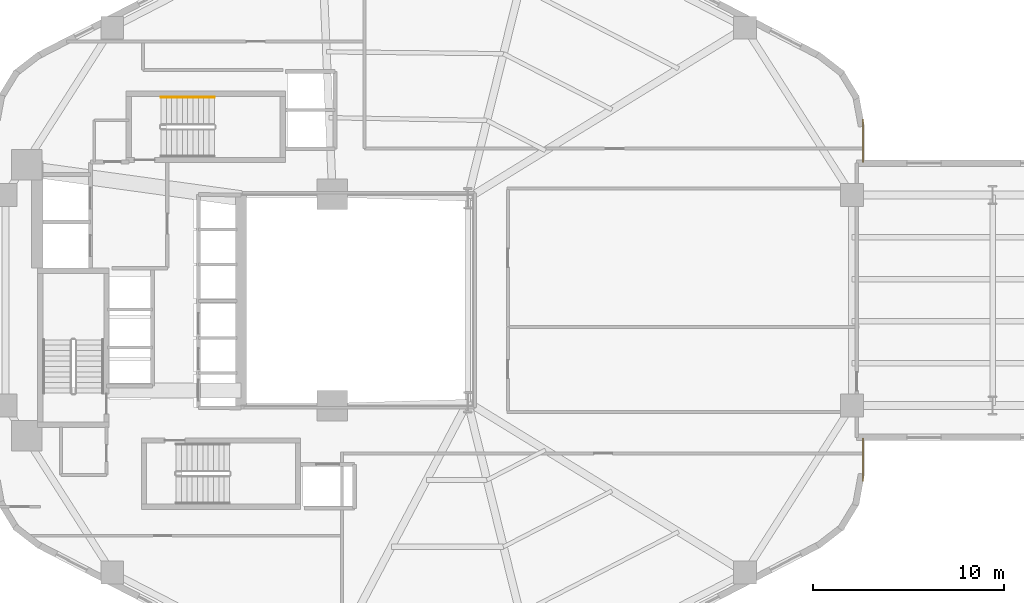
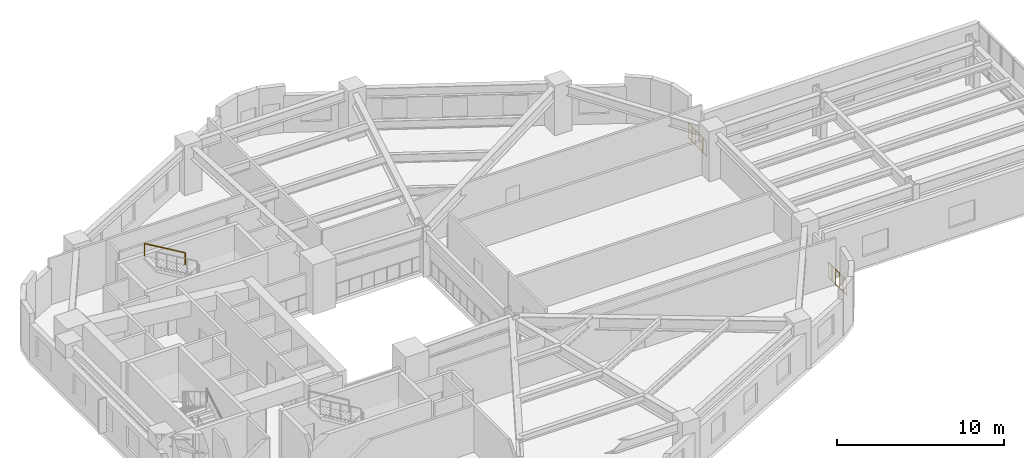
# One storey, part 10 of 10: 3 railings.
"""IFC4 building model written with IfcOpenShell, lengths in metres."""

from ifc_helpers import new_model, si_unit, direction, frame, origin, origin_2d, place, context, subcontext, project, spatial, circle, extrude, material, type_object, element, save


model = new_model("IFC4")

# Units and contexts
model_context = context("Model", 3, precision=1e-05, world=origin(), true_north=direction((0.0, 1.0)))
body_context = subcontext(model_context, "Body", "Model", "MODEL_VIEW")
ifc_project = project(units=[si_unit("LENGTHUNIT", "METRE"), si_unit("AREAUNIT", "SQUARE_METRE"), si_unit("VOLUMEUNIT", "CUBIC_METRE"), si_unit("PLANEANGLEUNIT", "RADIAN"), si_unit("MASSUNIT", "GRAM", prefix="KILO"), si_unit("THERMODYNAMICTEMPERATUREUNIT", "KELVIN"), si_unit("POWERUNIT", "WATT")], contexts=[model_context])

# Site, building, storey
site_placement = place(None, origin())
site = spatial("IfcSite", under=ifc_project, at=site_placement, CompositionType="ELEMENT")
building_placement = place(site_placement, origin())
building = spatial("IfcBuilding", under=site, at=building_placement, Name="Skarre Station Tower", CompositionType="ELEMENT")
storey_placement = place(building_placement, frame((0.0, 0.0, 59.85009765625)))
storey = spatial("IfcBuildingStorey", under=building, at=storey_placement, Name="L15", CompositionType="ELEMENT", Elevation=59.85009765625)

# Railings
ifc_material_1 = material(Name="Stainless Steel Grade 316L & Laminated Safety Glass", Category="steel")
railing_type_1 = type_object("IfcRailingType", Name="Laminated Glass & Stainless Terrace Guardrail 1150", PredefinedType="BALUSTRADE", material=ifc_material_1)
for number, where, name in (
    (1, (60.193115234375, 33.47607421875, 0.0), "L15 SB-1 Shoulder Ledge Guardrail 1"),
    (2, (60.193115234375, 16.72998046875, 0.0), "L15 SB-1 Shoulder Ledge Guardrail 2"),
):
    element("IfcRailing", number, at=place(storey_placement, frame(where)), inside=storey, type_object=railing_type_1, Name=name, PredefinedType="BALUSTRADE", context=body_context, shape_type="SweptSolid", body=[
        extrude(circle(Radius=0.02392578125, at=origin_2d()), frame((0.0, 0.0, 1.1259765625), z_axis=(0.0, -1.0, 0.0), x_axis=(1.0, 0.0, 0.0)), (0.0, 0.0, 1.0), 2.2060546875),
        extrude(circle(Radius=0.02099609375, at=origin_2d()), frame((0.0, 0.0, 0.06005859375), z_axis=(0.0, -1.0, 0.0), x_axis=(1.0, 0.0, 0.0)), (0.0, 0.0, 1.0), 2.2060546875),
        extrude(circle(Radius=0.02099609375, at=origin_2d()), origin(), (0.0, 0.0, 1.0), 1.101806640625),
        extrude(circle(Radius=0.02099609375, at=origin_2d()), frame((0.0, -0.441162109375, 0.0)), (0.0, 0.0, 1.0), 1.101806640625),
        extrude(circle(Radius=0.02099609375, at=origin_2d()), frame((0.0, -0.88232421875, 0.0)), (0.0, 0.0, 1.0), 1.101806640625),
        extrude(circle(Radius=0.02099609375, at=origin_2d()), frame((0.0, -1.32373046875, 0.0)), (0.0, 0.0, 1.0), 1.101806640625),
        extrude(circle(Radius=0.02099609375, at=origin_2d()), frame((0.0, -1.764892578125, 0.0)), (0.0, 0.0, 1.0), 1.101806640625),
        extrude(circle(Radius=0.02099609375, at=origin_2d()), frame((0.0, -2.2060546875, 0.0)), (0.0, 0.0, 1.0), 1.101806640625),
    ])
ifc_material_2 = material(Name="Powder-Coated Tubular Steel", Category="steel")
railing_type_2 = type_object("IfcRailingType", Name="Painted Steel Ramp & Stair Handrail 920", PredefinedType="HANDRAIL", material=ifc_material_2)
railing_placement = place(storey_placement, frame((26.14990234375, 34.64990234375, 1.99072265625)))
element("IfcRailing", 3, at=railing_placement, inside=storey, type_object=railing_type_2, Name="L15 ST-3 stair handrail 2", PredefinedType="HANDRAIL", context=body_context, shape_type="SweptSolid", body=[
    extrude(circle(Radius=0.02392578125, at=origin_2d()), frame((0.0, 0.0, 0.8759765625), z_axis=(-0.860286659441, 0.0, 0.509810615413), x_axis=(0.0, -1.0, 0.0)), (0.0, 0.0, 1.0), 3.25439453125),
    extrude(circle(Radius=0.02099609375, at=origin_2d()), origin(), (0.0, 0.0, 1.0), 0.851806640625),
    extrude(circle(Radius=0.02099609375, at=origin_2d()), frame((-2.7998046875, 0.0, 1.6591796875)), (0.0, 0.0, 1.0), 0.851806640625),
])

save(model, "model.ifc")
